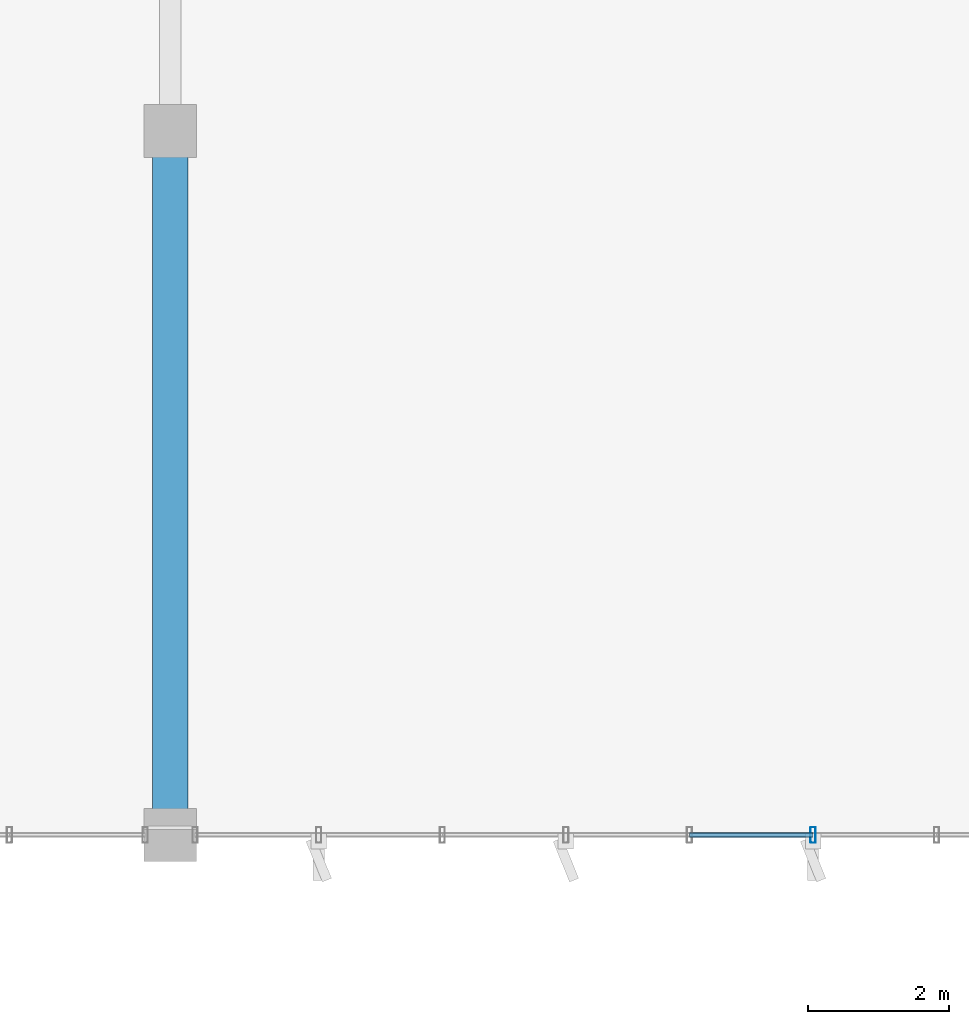
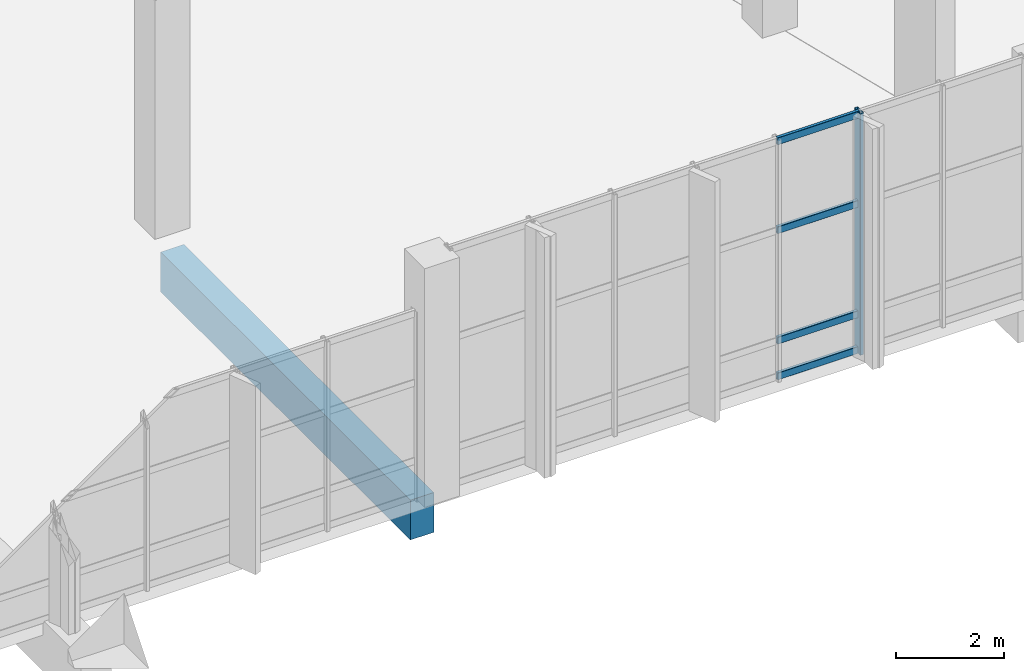
# One storey, part 69 of 176: 5 members, 1 beam, 1 element without a shape of its own.
"""IFC4 building model written with IfcOpenShell, lengths in metres."""

from ifc_helpers import new_model, si_unit, direction, frame, origin, origin_2d, place, context, subcontext, project, spatial, rectangle, hollow_rectangle, extrude, material, layer, layer_set, material_profile, profile_set, type_object, element, aggregate, save


model = new_model("IFC4")

# Units and contexts
model_context = context("Model", 3, precision=1e-05, world=origin(), true_north=direction((0.0, 1.0)))
body_context = subcontext(model_context, "Body", "Model", "MODEL_VIEW")
ifc_project = project(units=[si_unit("LENGTHUNIT", "METRE"), si_unit("AREAUNIT", "SQUARE_METRE"), si_unit("VOLUMEUNIT", "CUBIC_METRE"), si_unit("PLANEANGLEUNIT", "RADIAN"), si_unit("MASSUNIT", "GRAM", prefix="KILO")], contexts=[model_context])

# Site, building, storey
site_placement = place(None, origin())
site = spatial("IfcSite", under=ifc_project, at=site_placement, CompositionType="ELEMENT")
building_placement = place(site_placement, origin())
building = spatial("IfcBuilding", under=site, at=building_placement, Name="Khorjan Park Terminus", CompositionType="ELEMENT")
storey_placement = place(building_placement, frame((0.0, 0.0, 6.0)))
storey = spatial("IfcBuildingStorey", under=building, at=storey_placement, Name="L01", CompositionType="ELEMENT", Elevation=6.0)

# Beam
ifc_material_1 = material(Name="Concrete C40/50", Category="concrete")
ifc_material_profile_1 = material_profile(ifc_material_1, rectangle(XDim=0.5, YDim=0.9, at=origin_2d()), Name="RC 500x900")
ifc_profile_set_1 = profile_set([ifc_material_profile_1], Name="Concrete C40/50")
beam_type = type_object("IfcBeamType", Name="BM-RC500x900", PredefinedType="BEAM", material=ifc_profile_set_1)
beam_placement = place(storey_placement, frame((144.0, 28.37, -0.78), z_axis=(0.0, 1.0, 0.0), x_axis=(-1.0, 0.0, 0.0)))
element("IfcBeam", 1, at=beam_placement, inside=storey, type_object=beam_type, Name="Primary floor girder GB-09 (L01)", PredefinedType="BEAM", context=body_context, shape_type="SweptSolid", body=[
    extrude(rectangle(XDim=0.5, YDim=0.9, at=origin_2d()), origin(), (0.0, 0.0, 1.0), 9.26),
])

# Curtain wall, members
ifc_material_2 = material(Name="Anodized Bronze Aluminium", Category="aluminium")
ifc_layer = layer(ifc_material_2, 0.22)
ifc_layer_set = layer_set([ifc_layer], Name="Anodized Bronze Aluminium")
curtain_wall_type = type_object("IfcCurtainWallType", Name="CW-OPS-B", PredefinedType="NOTDEFINED", material=ifc_layer_set)
curtain_wall_placement = place(storey_placement, origin())
curtain_wall = element("IfcCurtainWall", 2, at=curtain_wall_placement, inside=storey, type_object=curtain_wall_type, Name="Unitized curtain wall CW-B (CW-V5L-S-L01-2)", PredefinedType="NOTDEFINED")
ifc_material_profile_2 = material_profile(ifc_material_2, hollow_rectangle(XDim=0.075, YDim=0.225, WallThickness=0.005, InnerFilletRadius=0.005, OuterFilletRadius=0.01, at=origin_2d()), Name="ALM 75x225x5")
ifc_profile_set_2 = profile_set([ifc_material_profile_2], Name="Anodized Bronze Aluminium")
member_type_1 = type_object("IfcMemberType", Name="ML-ALM-225", PredefinedType="MULLION", material=ifc_profile_set_2)
member_1_placement = place(storey_placement, frame((153.1336, 28.0, -0.035), z_axis=(0.0, 0.0, 1.0), x_axis=(1.0, 0.0, 0.0)))
member_1 = element("IfcMember", 3, at=member_1_placement, type_object=member_type_1, Name="Curtain-wall mullion ML-22 (CW-V5L-S-L01-2-5)", PredefinedType="MULLION", context=body_context, shape_type="SweptSolid", body=[
    extrude(hollow_rectangle(XDim=0.075, YDim=0.225, WallThickness=0.005, InnerFilletRadius=0.005, OuterFilletRadius=0.01, at=origin_2d()), origin(), (0.0, 0.0, 1.0), 5.47),
])
ifc_material_profile_3 = material_profile(ifc_material_2, hollow_rectangle(XDim=0.07, YDim=0.16, WallThickness=0.004, InnerFilletRadius=0.004, OuterFilletRadius=0.008, at=origin_2d()), Name="ALT 70x160x4")
ifc_profile_set_3 = profile_set([ifc_material_profile_3], Name="Anodized Bronze Aluminium")
member_type_2 = type_object("IfcMemberType", Name="TR-ALT-160", PredefinedType="USERDEFINED", material=ifc_profile_set_3)
member_2_placement = place(storey_placement, frame((151.3779, 28.0, 0.04), z_axis=(1.0, 0.0, 0.0), x_axis=(0.0, 1.0, 0.0)))
member_2 = element("IfcMember", 4, at=member_2_placement, type_object=member_type_2, Name="Curtain-wall transom TR-16 (CW-V5L-S-L01-2-4-1)", ObjectType="TRANSOM", PredefinedType="USERDEFINED", context=body_context, shape_type="SweptSolid", body=[
    extrude(hollow_rectangle(XDim=0.07, YDim=0.16, WallThickness=0.004, InnerFilletRadius=0.004, OuterFilletRadius=0.008, at=origin_2d()), origin(), (0.0, 0.0, 1.0), 1.7557),
])
member_3_placement = place(storey_placement, frame((151.3779, 28.0, 0.85), z_axis=(1.0, 0.0, 0.0), x_axis=(0.0, 1.0, 0.0)))
member_3 = element("IfcMember", 5, at=member_3_placement, type_object=member_type_2, Name="Curtain-wall transom TR-16 (CW-V5L-S-L01-2-4-2)", ObjectType="TRANSOM", PredefinedType="USERDEFINED", context=body_context, shape_type="SweptSolid", body=[
    extrude(hollow_rectangle(XDim=0.07, YDim=0.16, WallThickness=0.004, InnerFilletRadius=0.004, OuterFilletRadius=0.008, at=origin_2d()), origin(), (0.0, 0.0, 1.0), 1.7557),
])
member_4_placement = place(storey_placement, frame((151.3779, 28.0, 3.348), z_axis=(1.0, 0.0, 0.0), x_axis=(0.0, 1.0, 0.0)))
member_4 = element("IfcMember", 6, at=member_4_placement, type_object=member_type_2, Name="Curtain-wall transom TR-16 (CW-V5L-S-L01-2-4-3)", ObjectType="TRANSOM", PredefinedType="USERDEFINED", context=body_context, shape_type="SweptSolid", body=[
    extrude(hollow_rectangle(XDim=0.07, YDim=0.16, WallThickness=0.004, InnerFilletRadius=0.004, OuterFilletRadius=0.008, at=origin_2d()), origin(), (0.0, 0.0, 1.0), 1.7557),
])
member_5_placement = place(storey_placement, frame((151.3779, 28.0, 5.36), z_axis=(1.0, 0.0, 0.0), x_axis=(0.0, 1.0, 0.0)))
member_5 = element("IfcMember", 7, at=member_5_placement, type_object=member_type_2, Name="Curtain-wall transom TR-16 (CW-V5L-S-L01-2-4-4)", ObjectType="TRANSOM", PredefinedType="USERDEFINED", context=body_context, shape_type="SweptSolid", body=[
    extrude(hollow_rectangle(XDim=0.07, YDim=0.16, WallThickness=0.004, InnerFilletRadius=0.004, OuterFilletRadius=0.008, at=origin_2d()), origin(), (0.0, 0.0, 1.0), 1.7557),
])
aggregate(curtain_wall, [member_1, member_2, member_3, member_4, member_5])

save(model, "model.ifc")
